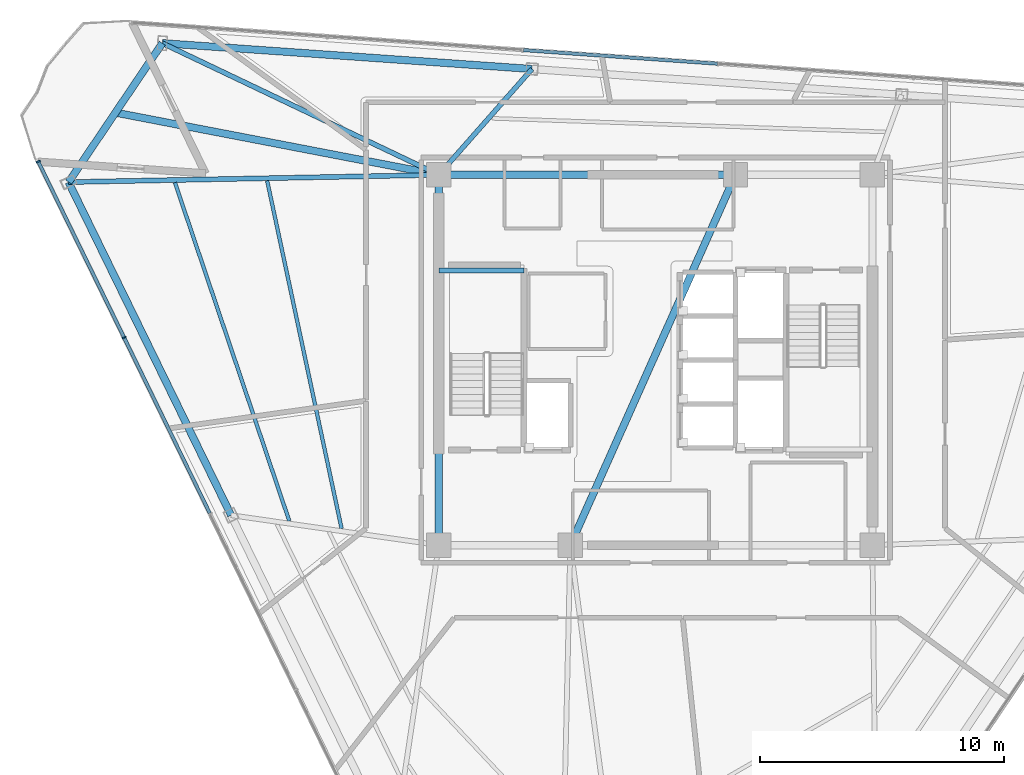
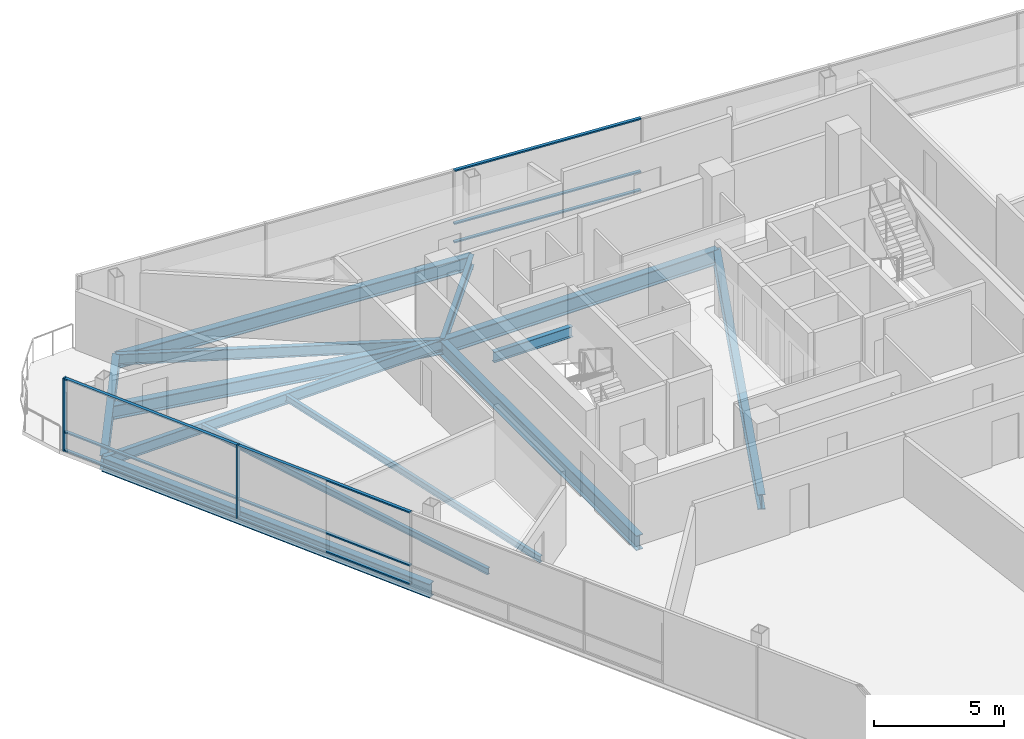
# One storey, part 5 of 14: 13 beams, 11 members, 2 elements without a shape of their own.
"""IFC4 building model written with IfcOpenShell, lengths in metres."""

from ifc_helpers import new_model, si_unit, direction, frame, origin, origin_2d, place, context, subcontext, project, spatial, rectangle, i_section, extrude, material, layer, layer_set, material_profile, profile_set, type_object, element, aggregate, save


model = new_model("IFC4")

# Units and contexts
model_context = context("Model", 3, precision=1e-05, world=origin(), true_north=direction((0.0, 1.0)))
body_context = subcontext(model_context, "Body", "Model", "MODEL_VIEW")
ifc_project = project(units=[si_unit("LENGTHUNIT", "METRE"), si_unit("AREAUNIT", "SQUARE_METRE"), si_unit("VOLUMEUNIT", "CUBIC_METRE"), si_unit("PLANEANGLEUNIT", "RADIAN"), si_unit("MASSUNIT", "GRAM", prefix="KILO")], contexts=[model_context])

# Site, building, storey
site_placement = place(None, origin())
site = spatial("IfcSite", under=ifc_project, at=site_placement, CompositionType="ELEMENT")
building_placement = place(site_placement, origin())
building = spatial("IfcBuilding", under=site, at=building_placement, Name="Tharavind Bronze Gate", CompositionType="ELEMENT")
storey_placement = place(building_placement, frame((0.0, 0.0, 245.050048828125)))
storey = spatial("IfcBuildingStorey", under=building, at=storey_placement, Name="L63", CompositionType="ELEMENT", Elevation=245.050048828125)

# Curtain wall, members
ifc_material_1 = material(Name="Anodised Bronze Aluminium", Category="aluminium")
ifc_layer = layer(ifc_material_1, 0.219970703125)
ifc_layer_set = layer_set([ifc_layer], Name="Anodised Bronze Aluminium")
curtain_wall_type = type_object("IfcCurtainWallType", Name="UNITISED CURTAIN WALL UPPER OFFICE", PredefinedType="USERDEFINED", material=ifc_layer_set)
curtain_wall_1_placement = place(storey_placement, origin())
curtain_wall_1 = element("IfcCurtainWall", 1, at=curtain_wall_1_placement, inside=storey, type_object=curtain_wall_type, Name="L63 unitised curtain wall upper office CW-L63-S1", ObjectType="UNITISED CURTAIN WALL", PredefinedType="USERDEFINED")
member_type_1 = type_object("IfcMemberType", Name="CURTAIN WALL BRONZE MULLION 65X180", PredefinedType="MULLION", material=ifc_material_1)
member_1_placement = place(storey_placement, frame((-25.337158203125, 8.140625, 0.0), z_axis=(0.0, 0.0, 1.0), x_axis=(0.438371146789, -0.898794046299, 0.0)))
member_1 = element("IfcMember", 2, at=member_1_placement, type_object=member_type_1, Name="CW-L63-S1 mullion 1", PredefinedType="MULLION", context=body_context, shape_type="SweptSolid", body=[
    extrude(rectangle(XDim=0.06494140625, YDim=0.179931640625, at=origin_2d()), origin(), (0.0, 0.0, 1.0), 3.419921875),
])
member_2_placement = place(storey_placement, frame((-21.8134765625, 0.916259765625, 0.0), z_axis=(0.0, 0.0, 1.0), x_axis=(0.438371146789, -0.898794046299, 0.0)))
member_2 = element("IfcMember", 3, at=member_2_placement, type_object=member_type_1, Name="CW-L63-S1 mullion 2", PredefinedType="MULLION", context=body_context, shape_type="SweptSolid", body=[
    extrude(rectangle(XDim=0.06494140625, YDim=0.179931640625, at=origin_2d()), origin(), (0.0, 0.0, 1.0), 3.419921875),
])
member_type_2 = type_object("IfcMemberType", Name="CURTAIN WALL BRONZE TRANSOM 65X140", PredefinedType="USERDEFINED", material=ifc_material_1)
member_3_placement = place(storey_placement, frame((-23.5751953125, 4.5283203125, 0.0), z_axis=(0.0, 0.0, 1.0), x_axis=(0.438371146789, -0.898794046299, 0.0)))
member_3 = element("IfcMember", 4, at=member_3_placement, type_object=member_type_2, Name="CW-L63-S1 transom TB1", ObjectType="TRANSOM", PredefinedType="USERDEFINED", context=body_context, shape_type="SweptSolid", body=[
    extrude(rectangle(XDim=7.985107421875, YDim=0.139892578125, at=origin_2d()), origin(), (0.0, 0.0, 1.0), 0.06494140625),
])
member_4_placement = place(storey_placement, frame((-23.5751953125, 4.5283203125, 0.867431640625), z_axis=(0.0, 0.0, 1.0), x_axis=(0.438371146789, -0.898794046299, 0.0)))
member_4 = element("IfcMember", 5, at=member_4_placement, type_object=member_type_2, Name="CW-L63-S1 transom TS1", ObjectType="TRANSOM", PredefinedType="USERDEFINED", context=body_context, shape_type="SweptSolid", body=[
    extrude(rectangle(XDim=7.985107421875, YDim=0.139892578125, at=origin_2d()), origin(), (0.0, 0.0, 1.0), 0.06494140625),
])
member_5_placement = place(storey_placement, frame((-23.5751953125, 4.5283203125, 3.35498046875), z_axis=(0.0, 0.0, 1.0), x_axis=(0.438371146789, -0.898794046299, 0.0)))
member_5 = element("IfcMember", 6, at=member_5_placement, type_object=member_type_2, Name="CW-L63-S1 transom TT1", ObjectType="TRANSOM", PredefinedType="USERDEFINED", context=body_context, shape_type="SweptSolid", body=[
    extrude(rectangle(XDim=7.985107421875, YDim=0.139892578125, at=origin_2d()), origin(), (0.0, 0.0, 1.0), 0.06494140625),
])
member_6_placement = place(storey_placement, frame((-20.051513671875, -2.696044921875, 0.0), z_axis=(0.0, 0.0, 1.0), x_axis=(0.438371146789, -0.898794046299, 0.0)))
member_6 = element("IfcMember", 7, at=member_6_placement, type_object=member_type_2, Name="CW-L63-S1 transom TB2", ObjectType="TRANSOM", PredefinedType="USERDEFINED", context=body_context, shape_type="SweptSolid", body=[
    extrude(rectangle(XDim=7.985107421875, YDim=0.139892578125, at=origin_2d()), origin(), (0.0, 0.0, 1.0), 0.06494140625),
])
member_7_placement = place(storey_placement, frame((-20.051513671875, -2.696044921875, 0.867431640625), z_axis=(0.0, 0.0, 1.0), x_axis=(0.438371146789, -0.898794046299, 0.0)))
member_7 = element("IfcMember", 8, at=member_7_placement, type_object=member_type_2, Name="CW-L63-S1 transom TS2", ObjectType="TRANSOM", PredefinedType="USERDEFINED", context=body_context, shape_type="SweptSolid", body=[
    extrude(rectangle(XDim=7.985107421875, YDim=0.139892578125, at=origin_2d()), origin(), (0.0, 0.0, 1.0), 0.06494140625),
])
member_8_placement = place(storey_placement, frame((-20.051513671875, -2.696044921875, 3.35498046875), z_axis=(0.0, 0.0, 1.0), x_axis=(0.438371146789, -0.898794046299, 0.0)))
member_8 = element("IfcMember", 9, at=member_8_placement, type_object=member_type_2, Name="CW-L63-S1 transom TT2", ObjectType="TRANSOM", PredefinedType="USERDEFINED", context=body_context, shape_type="SweptSolid", body=[
    extrude(rectangle(XDim=7.985107421875, YDim=0.139892578125, at=origin_2d()), origin(), (0.0, 0.0, 1.0), 0.06494140625),
])
aggregate(curtain_wall_1, [member_1, member_2, member_3, member_4, member_5, member_6, member_7, member_8])

curtain_wall_2_placement = place(storey_placement, origin())
curtain_wall_2 = element("IfcCurtainWall", 10, at=curtain_wall_2_placement, inside=storey, type_object=curtain_wall_type, Name="L63 unitised curtain wall upper office CW-L63-S3", ObjectType="UNITISED CURTAIN WALL", PredefinedType="USERDEFINED")
member_9_placement = place(storey_placement, frame((-1.44384765625, 12.442626953125, 0.0), z_axis=(0.0, 0.0, 1.0), x_axis=(-0.99756392851, 0.069758214822, 0.0)))
member_9 = element("IfcMember", 11, at=member_9_placement, type_object=member_type_2, Name="CW-L63-S3 transom TB4", ObjectType="TRANSOM", PredefinedType="USERDEFINED", context=body_context, shape_type="SweptSolid", body=[
    extrude(rectangle(XDim=7.985107421875, YDim=0.139892578125, at=origin_2d()), origin(), (0.0, 0.0, 1.0), 0.06494140625),
])
member_10_placement = place(storey_placement, frame((-1.44384765625, 12.442626953125, 0.867431640625), z_axis=(0.0, 0.0, 1.0), x_axis=(-0.99756392851, 0.069758214822, 0.0)))
member_10 = element("IfcMember", 12, at=member_10_placement, type_object=member_type_2, Name="CW-L63-S3 transom TS4", ObjectType="TRANSOM", PredefinedType="USERDEFINED", context=body_context, shape_type="SweptSolid", body=[
    extrude(rectangle(XDim=7.985107421875, YDim=0.139892578125, at=origin_2d()), origin(), (0.0, 0.0, 1.0), 0.06494140625),
])
member_11_placement = place(storey_placement, frame((-1.44384765625, 12.442626953125, 3.35498046875), z_axis=(0.0, 0.0, 1.0), x_axis=(-0.99756392851, 0.069758214822, 0.0)))
member_11 = element("IfcMember", 13, at=member_11_placement, type_object=member_type_2, Name="CW-L63-S3 transom TT4", ObjectType="TRANSOM", PredefinedType="USERDEFINED", context=body_context, shape_type="SweptSolid", body=[
    extrude(rectangle(XDim=7.985107421875, YDim=0.139892578125, at=origin_2d()), origin(), (0.0, 0.0, 1.0), 0.06494140625),
])
aggregate(curtain_wall_2, [member_9, member_10, member_11])

# Beams
ifc_material_2 = material(Name="Steel S355", Category="steel")
ifc_material_profile_1 = material_profile(ifc_material_2, i_section(OverallWidth=0.300048828125, OverallDepth=0.64990234375, WebThickness=0.01611328125, FlangeThickness=0.031005859375, at=origin_2d()), Name="HE650B")
ifc_profile_set_1 = profile_set([ifc_material_profile_1], Name="Steel S355")
beam_type_1 = type_object("IfcBeamType", Name="PRIMARY GIRDER HE650B", PredefinedType="USERDEFINED", material=ifc_profile_set_1)
for number, where, z_axis, x_axis, name in (
    (14, (-24.093505859375, 7.302001953125, -0.505126953125), (0.438370186885, -0.898794514475, 0.0), (0.898794514475, 0.438370186885, 0.0), "L63 primary girder he650b BM-L63-PRG01"),
    (15, (-5.0732421875, 11.944580078125, -0.505126953125), (-0.997563917828, 0.069758367582, 0.0), (-0.069758367582, -0.997563917828, 0.0), "L63 primary girder he650b BM-L63-PRG11"),
):
    element("IfcBeam", number, at=place(storey_placement, frame(where, z_axis=z_axis, x_axis=x_axis)), inside=storey, type_object=beam_type_1, Name=name, ObjectType="GIRDER", PredefinedType="USERDEFINED", context=body_context, shape_type="SweptSolid", body=[
        extrude(i_section(OverallWidth=0.300048828125, OverallDepth=0.64990234375, WebThickness=0.01611328125, FlangeThickness=0.031005859375, at=origin_2d()), origin(), (0.0, 0.0, 1.0), 15.210205078125),
    ])
beam_1_placement = place(storey_placement, frame((-20.246337890625, 13.005615234375, -0.505126953125), z_axis=(-0.559196123664, -0.829035400498, 0.0), x_axis=(0.829035400498, -0.559196123664, 0.0)))
element("IfcBeam", 16, at=beam_1_placement, inside=storey, type_object=beam_type_1, Name="L63 primary girder he650b BM-L63-PRG12", ObjectType="GIRDER", PredefinedType="USERDEFINED", context=body_context, shape_type="SweptSolid", body=[
    extrude(i_section(OverallWidth=0.300048828125, OverallDepth=0.64990234375, WebThickness=0.01611328125, FlangeThickness=0.031005859375, at=origin_2d()), origin(), (0.0, 0.0, 1.0), 6.8798828125),
])
beam_2_placement = place(storey_placement, frame((-8.89990234375, 7.60009765625, -0.505126953125), z_axis=(-0.981981954997, 0.18897470746, 0.0), x_axis=(-0.18897470746, -0.981981954997, 0.0)))
element("IfcBeam", 17, at=beam_2_placement, inside=storey, type_object=beam_type_1, Name="L63 primary girder he650b BM-L63-BLCSB", ObjectType="GIRDER", PredefinedType="USERDEFINED", context=body_context, shape_type="SweptSolid", body=[
    extrude(i_section(OverallWidth=0.300048828125, OverallDepth=0.64990234375, WebThickness=0.01611328125, FlangeThickness=0.031005859375, at=origin_2d()), origin(), (0.0, 0.0, 1.0), 13.513427734375),
])
ifc_material_profile_2 = material_profile(ifc_material_2, i_section(OverallWidth=0.199951171875, OverallDepth=0.5, WebThickness=0.01025390625, FlangeThickness=0.01611328125, at=origin_2d()), Name="IPE500")
ifc_profile_set_2 = profile_set([ifc_material_profile_2], Name="Steel S355")
beam_type_2 = type_object("IfcBeamType", Name="PRIMARY GIRDER IPE500", PredefinedType="USERDEFINED", material=ifc_profile_set_2)
beam_3_placement = place(storey_placement, frame((-8.89990234375, 3.679931640625, 1.349853515625), z_axis=(1.0, 0.0, 0.0), x_axis=(0.0, 1.0, 0.0)))
element("IfcBeam", 18, at=beam_3_placement, inside=storey, type_object=beam_type_2, Name="L63 primary girder ipe500 BM-LD-ST1-L63-1", ObjectType="GIRDER", PredefinedType="USERDEFINED", context=body_context, shape_type="SweptSolid", body=[
    extrude(i_section(OverallWidth=0.199951171875, OverallDepth=0.5, WebThickness=0.01025390625, FlangeThickness=0.01611328125, at=origin_2d()), origin(), (0.0, 0.0, 1.0), 3.5),
])
beam_4_placement = place(storey_placement, frame((-24.093505859375, 7.302001953125, -0.429931640625), z_axis=(0.999807586961, 0.019616040745, 0.0), x_axis=(-0.019616040745, 0.999807586961, 0.0)))
element("IfcBeam", 19, at=beam_4_placement, inside=storey, type_object=beam_type_2, Name="L63 primary girder ipe500 BM-L63-RAD01", ObjectType="GIRDER", PredefinedType="USERDEFINED", context=body_context, shape_type="SweptSolid", body=[
    extrude(i_section(OverallWidth=0.199951171875, OverallDepth=0.5, WebThickness=0.01025390625, FlangeThickness=0.01611328125, at=origin_2d()), origin(), (0.0, 0.0, 1.0), 15.196533203125),
])
beam_5_placement = place(storey_placement, frame((-5.0732421875, 11.944580078125, -0.429931640625), z_axis=(-0.660970052171, -0.750412280106, 0.0), x_axis=(0.750412280106, -0.660970052171, 0.0)))
element("IfcBeam", 20, at=beam_5_placement, inside=storey, type_object=beam_type_2, Name="L63 primary girder ipe500 BM-L63-RAD11", ObjectType="GIRDER", PredefinedType="USERDEFINED", context=body_context, shape_type="SweptSolid", body=[
    extrude(i_section(OverallWidth=0.199951171875, OverallDepth=0.5, WebThickness=0.01025390625, FlangeThickness=0.01611328125, at=origin_2d()), origin(), (0.0, 0.0, 1.0), 5.78955078125),
])
beam_6_placement = place(storey_placement, frame((-20.246337890625, 13.005615234375, -0.429931640625), z_axis=(0.902784743055, -0.430092673394, 0.0), x_axis=(0.430092673394, 0.902784743055, 0.0)))
element("IfcBeam", 21, at=beam_6_placement, inside=storey, type_object=beam_type_2, Name="L63 primary girder ipe500 BM-L63-RAD12", ObjectType="GIRDER", PredefinedType="USERDEFINED", context=body_context, shape_type="SweptSolid", body=[
    extrude(i_section(OverallWidth=0.199951171875, OverallDepth=0.5, WebThickness=0.01025390625, FlangeThickness=0.01611328125, at=origin_2d()), origin(), (0.0, 0.0, 1.0), 12.568359375),
])
ifc_material_profile_3 = material_profile(ifc_material_2, i_section(OverallWidth=0.300048828125, OverallDepth=0.699951171875, WebThickness=0.01708984375, FlangeThickness=0.031982421875, at=origin_2d()), Name="HE700B")
ifc_profile_set_3 = profile_set([ifc_material_profile_3], Name="Steel S355")
beam_type_3 = type_object("IfcBeamType", Name="RING GIRDER HE700B", PredefinedType="USERDEFINED", material=ifc_profile_set_3)
beam_7_placement = place(storey_placement, frame((3.280029296875, 7.60009765625, -0.530029296875), z_axis=(-1.0, 0.0, 0.0), x_axis=(0.0, -1.0, 0.0)))
element("IfcBeam", 22, at=beam_7_placement, inside=storey, type_object=beam_type_3, Name="L63 ring girder he700b BM-L63-CR5", ObjectType="GIRDER", PredefinedType="USERDEFINED", context=body_context, shape_type="SweptSolid", body=[
    extrude(i_section(OverallWidth=0.300048828125, OverallDepth=0.699951171875, WebThickness=0.01708984375, FlangeThickness=0.031982421875, at=origin_2d()), origin(), (0.0, 0.0, 1.0), 12.179931640625),
])
beam_8_placement = place(storey_placement, frame((-8.89990234375, 7.60009765625, -0.530029296875), z_axis=(0.0, -1.0, 0.0), x_axis=(1.0, 0.0, 0.0)))
element("IfcBeam", 23, at=beam_8_placement, inside=storey, type_object=beam_type_3, Name="L63 ring girder he700b BM-L63-CR6", ObjectType="GIRDER", PredefinedType="USERDEFINED", context=body_context, shape_type="SweptSolid", body=[
    extrude(i_section(OverallWidth=0.300048828125, OverallDepth=0.699951171875, WebThickness=0.01708984375, FlangeThickness=0.031982421875, at=origin_2d()), origin(), (0.0, 0.0, 1.0), 15.2001953125),
])
beam_9_placement = place(storey_placement, frame((-3.5, -7.60009765625, -0.530029296875), z_axis=(0.407361644566, 0.913266932795, 0.0), x_axis=(-0.913266932795, 0.407361644566, 0.0)))
element("IfcBeam", 24, at=beam_9_placement, inside=storey, type_object=beam_type_3, Name="L63 ring girder he700b BM-L63-CR7", ObjectType="GIRDER", PredefinedType="USERDEFINED", context=body_context, shape_type="SweptSolid", body=[
    extrude(i_section(OverallWidth=0.300048828125, OverallDepth=0.699951171875, WebThickness=0.01708984375, FlangeThickness=0.031982421875, at=origin_2d()), origin(), (0.0, 0.0, 1.0), 16.643798828125),
])
ifc_material_profile_4 = material_profile(ifc_material_2, i_section(OverallWidth=0.14990234375, OverallDepth=0.300048828125, WebThickness=0.007080078125, FlangeThickness=0.0107421875, at=origin_2d()), Name="IPE300")
ifc_profile_set_4 = profile_set([ifc_material_profile_4], Name="Steel S355")
beam_type_4 = type_object("IfcBeamType", Name="SECONDARY FLOOR JOIST IPE300", PredefinedType="JOIST", material=ifc_profile_set_4)
beam_10_placement = place(storey_placement, frame((-15.94287109375, 7.35791015625, -0.330078125), z_axis=(0.209253867675, -0.977861349509, 0.0), x_axis=(0.977861349509, 0.209253867675, 0.0)))
element("IfcBeam", 25, at=beam_10_placement, inside=storey, type_object=beam_type_4, Name="L63 secondary floor joist ipe300 BM-L63-JSTA01", PredefinedType="JOIST", context=body_context, shape_type="SweptSolid", body=[
    extrude(i_section(OverallWidth=0.14990234375, OverallDepth=0.300048828125, WebThickness=0.007080078125, FlangeThickness=0.0107421875, at=origin_2d()), origin(), (0.0, 0.0, 1.0), 14.600341796875),
])
beam_11_placement = place(storey_placement, frame((-19.728515625, 7.28369140625, -0.330078125), z_axis=(0.320165511118, -0.9473616234, 0.0), x_axis=(0.9473616234, 0.320165511118, 0.0)))
element("IfcBeam", 26, at=beam_11_placement, inside=storey, type_object=beam_type_4, Name="L63 secondary floor joist ipe300 BM-L63-JSTB01", PredefinedType="JOIST", context=body_context, shape_type="SweptSolid", body=[
    extrude(i_section(OverallWidth=0.14990234375, OverallDepth=0.300048828125, WebThickness=0.007080078125, FlangeThickness=0.0107421875, at=origin_2d()), origin(), (0.0, 0.0, 1.0), 14.665283203125),
])

save(model, "model.ifc")
